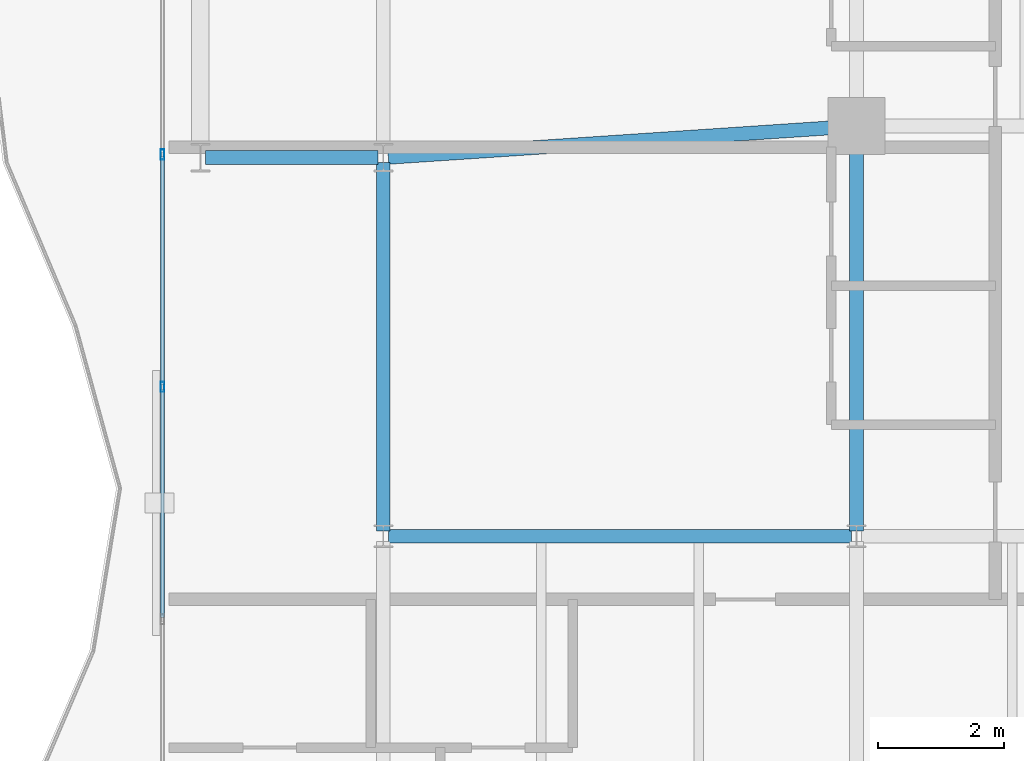
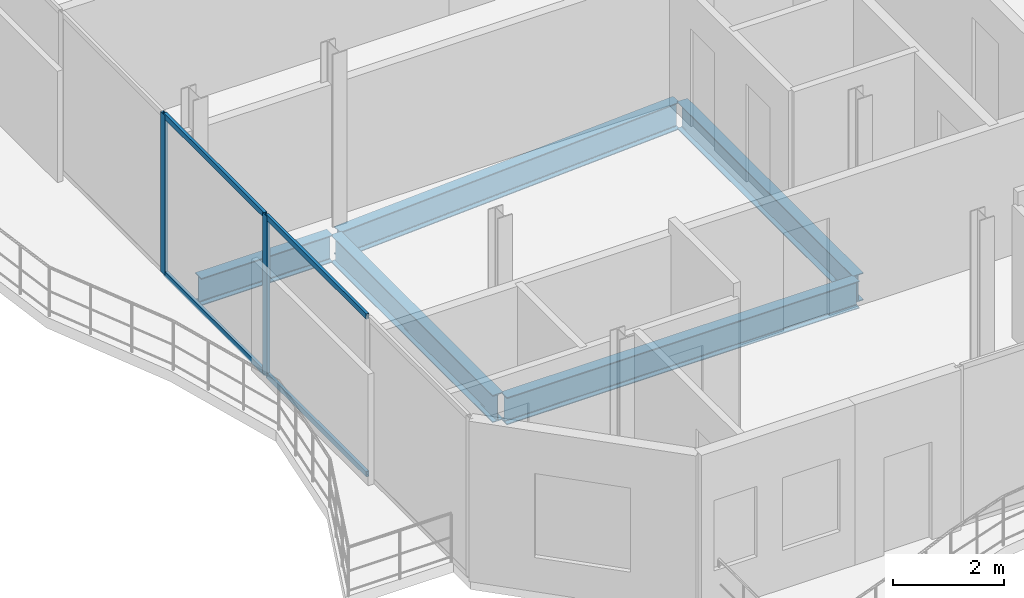
# One storey, part 6 of 24: 6 members, 5 beams, 1 element without a shape of its own.
"""IFC4 building model written with IfcOpenShell, lengths in metres."""

from ifc_helpers import new_model, si_unit, direction, frame, origin, origin_2d, place, context, subcontext, project, spatial, hollow_rectangle, i_section, extrude, material, layer, layer_set, material_profile, profile_set, type_object, element, aggregate, save


model = new_model("IFC4")

# Units and contexts
model_context = context("Model", 3, precision=1e-05, world=origin(), true_north=direction((0.0, 1.0)))
body_context = subcontext(model_context, "Body", "Model", "MODEL_VIEW")
ifc_project = project(units=[si_unit("LENGTHUNIT", "METRE"), si_unit("AREAUNIT", "SQUARE_METRE"), si_unit("VOLUMEUNIT", "CUBIC_METRE"), si_unit("PLANEANGLEUNIT", "RADIAN"), si_unit("MASSUNIT", "GRAM", prefix="KILO")], contexts=[model_context])

# Site, building, storey
site_placement = place(None, origin())
site = spatial("IfcSite", under=ifc_project, at=site_placement, CompositionType="ELEMENT")
building_placement = place(site_placement, origin())
building = spatial("IfcBuilding", under=site, at=building_placement, Name="Catumbela Crestline Tower", CompositionType="ELEMENT")
storey_placement = place(building_placement, frame((0.0, 0.0, 237.4)))
storey = spatial("IfcBuildingStorey", under=building, at=storey_placement, Name="L61", CompositionType="ELEMENT", Elevation=237.4)

# Beams
ifc_material_1 = material(Name="Structural steel S355J2", Category="steel")
ifc_material_profile_1 = material_profile(ifc_material_1, i_section(OverallWidth=0.22, OverallDepth=0.6, WebThickness=0.012, FlangeThickness=0.019, FilletRadius=0.024, at=origin_2d()), Name="IPE 600")
ifc_profile_set_1 = profile_set([ifc_material_profile_1], Name="Structural steel S355J2")
beam_type = type_object("IfcBeamType", Name="BG-IPE600", PredefinedType="BEAM", material=ifc_profile_set_1)
beam_1_placement = place(storey_placement, frame((5.68, 24.0, -0.56), z_axis=(1.0, 0.0, 0.0), x_axis=(0.0, 1.0, 0.0)))
element("IfcBeam", 1, at=beam_1_placement, inside=storey, type_object=beam_type, Name="L61 Beam BM-L61-S01", PredefinedType="BEAM", context=body_context, shape_type="SweptSolid", body=[
    extrude(i_section(OverallWidth=0.22, OverallDepth=0.6, WebThickness=0.012, FlangeThickness=0.019, FilletRadius=0.024, at=origin_2d()), origin(), (0.0, 0.0, 1.0), 2.74),
])
beam_2_placement = place(storey_placement, frame((8.5798, 24.0053, -0.56), z_axis=(0.997784796964, 0.066524423687, 0.0), x_axis=(-0.066524423687, 0.997784796964, 0.0)))
element("IfcBeam", 2, at=beam_2_placement, inside=storey, type_object=beam_type, Name="L61 Beam BM-L61-S02", PredefinedType="BEAM", context=body_context, shape_type="SweptSolid", body=[
    extrude(i_section(OverallWidth=0.22, OverallDepth=0.6, WebThickness=0.012, FlangeThickness=0.019, FilletRadius=0.024, at=origin_2d()), origin(), (0.0, 0.0, 1.0), 7.3567),
])
beam_3_placement = place(storey_placement, frame((8.58, 18.0, -0.56), z_axis=(1.0, 0.0, 0.0), x_axis=(0.0, 1.0, 0.0)))
element("IfcBeam", 3, at=beam_3_placement, inside=storey, type_object=beam_type, Name="L61 Beam BM-L61-WEW29", PredefinedType="BEAM", context=body_context, shape_type="SweptSolid", body=[
    extrude(i_section(OverallWidth=0.22, OverallDepth=0.6, WebThickness=0.012, FlangeThickness=0.019, FilletRadius=0.024, at=origin_2d()), origin(), (0.0, 0.0, 1.0), 7.34),
])
beam_4_placement = place(storey_placement, frame((8.5, 18.08, -0.56), z_axis=(0.0, 1.0, 0.0), x_axis=(-1.0, 0.0, 0.0)))
element("IfcBeam", 4, at=beam_4_placement, inside=storey, type_object=beam_type, Name="L61 Beam BM-L61-WNS32", PredefinedType="BEAM", context=body_context, shape_type="SweptSolid", body=[
    extrude(i_section(OverallWidth=0.22, OverallDepth=0.6, WebThickness=0.012, FlangeThickness=0.019, FilletRadius=0.024, at=origin_2d()), origin(), (0.0, 0.0, 1.0), 5.84),
])
beam_5_placement = place(storey_placement, frame((16.0, 18.08, -0.56), z_axis=(0.0, 1.0, 0.0), x_axis=(-1.0, 0.0, 0.0)))
element("IfcBeam", 5, at=beam_5_placement, inside=storey, type_object=beam_type, Name="L61 Beam BM-L61-WNS34", PredefinedType="BEAM", context=body_context, shape_type="SweptSolid", body=[
    extrude(i_section(OverallWidth=0.22, OverallDepth=0.6, WebThickness=0.012, FlangeThickness=0.019, FilletRadius=0.024, at=origin_2d()), origin(), (0.0, 0.0, 1.0), 6.34),
])

# Curtain wall, members
ifc_material_2 = material(Name="Aluminium alloy AW-6060-T66", Category="aluminium")
ifc_layer = layer(ifc_material_2, 0.18, Name="Aluminium alloy AW-6060-T66")
ifc_layer_set = layer_set([ifc_layer], Name="Aluminium alloy AW-6060-T66")
curtain_wall_type = type_object("IfcCurtainWallType", Name="CWU-Z4", PredefinedType="USERDEFINED", material=ifc_layer_set)
curtain_wall_placement = place(storey_placement, origin())
curtain_wall = element("IfcCurtainWall", 6, at=curtain_wall_placement, inside=storey, type_object=curtain_wall_type, Name="L61 Unitised Curtain Wall CW-L61-E9S2", ObjectType="UNITISED", PredefinedType="USERDEFINED")
ifc_material_profile_2 = material_profile(ifc_material_2, hollow_rectangle(XDim=0.06, YDim=0.16, WallThickness=0.004, at=origin_2d()), Name="ALU 160x60x4")
ifc_profile_set_2 = profile_set([ifc_material_profile_2], Name="Aluminium alloy AW-6060-T66")
member_type_1 = type_object("IfcMemberType", Name="MUL-160X60", PredefinedType="MULLION", material=ifc_profile_set_2)
member_1_placement = place(storey_placement, frame((5.0, 24.05, 0.0), z_axis=(0.0, 0.0, 1.0), x_axis=(1.0, 0.0, 0.0)))
member_1 = element("IfcMember", 7, at=member_1_placement, type_object=member_type_1, Name="CWU-Z4 mullion 4", PredefinedType="MULLION", context=body_context, shape_type="SweptSolid", body=[
    extrude(hollow_rectangle(XDim=0.06, YDim=0.16, WallThickness=0.004, at=origin_2d()), origin(), (0.0, 0.0, 1.0), 3.53),
])
member_2_placement = place(storey_placement, frame((5.0, 20.3667, 0.0), z_axis=(0.0, 0.0, 1.0), x_axis=(1.0, 0.0, 0.0)))
member_2 = element("IfcMember", 8, at=member_2_placement, type_object=member_type_1, Name="CWU-Z4 mullion 5", PredefinedType="MULLION", context=body_context, shape_type="SweptSolid", body=[
    extrude(hollow_rectangle(XDim=0.06, YDim=0.16, WallThickness=0.004, at=origin_2d()), origin(), (0.0, 0.0, 1.0), 3.53),
])
ifc_material_profile_3 = material_profile(ifc_material_2, hollow_rectangle(XDim=0.06, YDim=0.12, WallThickness=0.0035, at=origin_2d()), Name="ALU 120x60x3.5")
ifc_profile_set_3 = profile_set([ifc_material_profile_3], Name="Aluminium alloy AW-6060-T66")
member_type_2 = type_object("IfcMemberType", Name="TRN-120X60", PredefinedType="USERDEFINED", material=ifc_profile_set_3)
member_3_placement = place(storey_placement, frame((5.0, 24.0175, 0.03), z_axis=(0.0, -1.0, 0.0), x_axis=(1.0, 0.0, 0.0)))
member_3 = element("IfcMember", 9, at=member_3_placement, type_object=member_type_2, Name="CWU-Z4 transom 4.1", ObjectType="TRANSOM", PredefinedType="USERDEFINED", context=body_context, shape_type="SweptSolid", body=[
    extrude(hollow_rectangle(XDim=0.06, YDim=0.12, WallThickness=0.0035, at=origin_2d()), origin(), (0.0, 0.0, 1.0), 3.6183),
])
member_4_placement = place(storey_placement, frame((5.0, 24.0175, 3.5), z_axis=(0.0, -1.0, 0.0), x_axis=(1.0, 0.0, 0.0)))
member_4 = element("IfcMember", 10, at=member_4_placement, type_object=member_type_2, Name="CWU-Z4 transom 4.2", ObjectType="TRANSOM", PredefinedType="USERDEFINED", context=body_context, shape_type="SweptSolid", body=[
    extrude(hollow_rectangle(XDim=0.06, YDim=0.12, WallThickness=0.0035, at=origin_2d()), origin(), (0.0, 0.0, 1.0), 3.6183),
])
member_5_placement = place(storey_placement, frame((5.0, 20.3342, 0.03), z_axis=(0.0, -1.0, 0.0), x_axis=(1.0, 0.0, 0.0)))
member_5 = element("IfcMember", 11, at=member_5_placement, type_object=member_type_2, Name="CWU-Z4 transom 5.1", ObjectType="TRANSOM", PredefinedType="USERDEFINED", context=body_context, shape_type="SweptSolid", body=[
    extrude(hollow_rectangle(XDim=0.06, YDim=0.12, WallThickness=0.0035, at=origin_2d()), origin(), (0.0, 0.0, 1.0), 3.6184),
])
member_6_placement = place(storey_placement, frame((5.0, 20.3342, 3.5), z_axis=(0.0, -1.0, 0.0), x_axis=(1.0, 0.0, 0.0)))
member_6 = element("IfcMember", 12, at=member_6_placement, type_object=member_type_2, Name="CWU-Z4 transom 5.2", ObjectType="TRANSOM", PredefinedType="USERDEFINED", context=body_context, shape_type="SweptSolid", body=[
    extrude(hollow_rectangle(XDim=0.06, YDim=0.12, WallThickness=0.0035, at=origin_2d()), origin(), (0.0, 0.0, 1.0), 3.6184),
])
aggregate(curtain_wall, [member_1, member_2, member_3, member_4, member_5, member_6])

save(model, "model.ifc")
